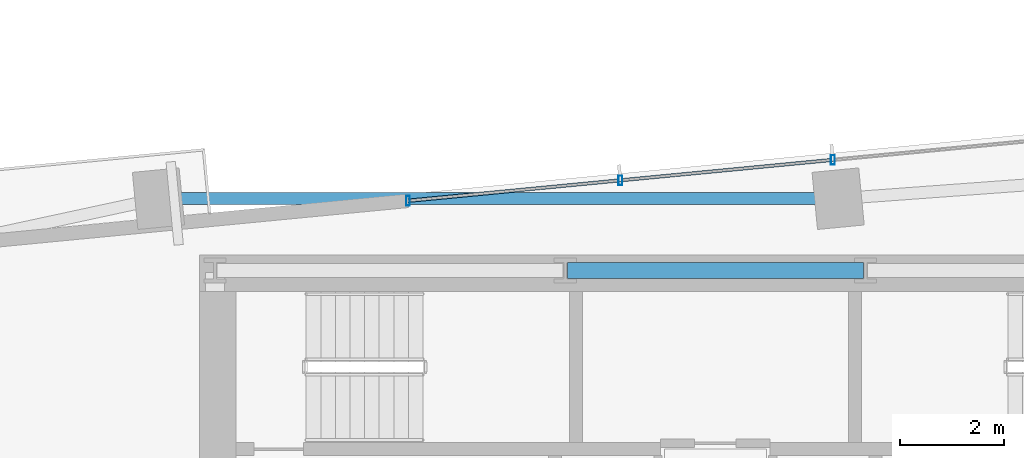
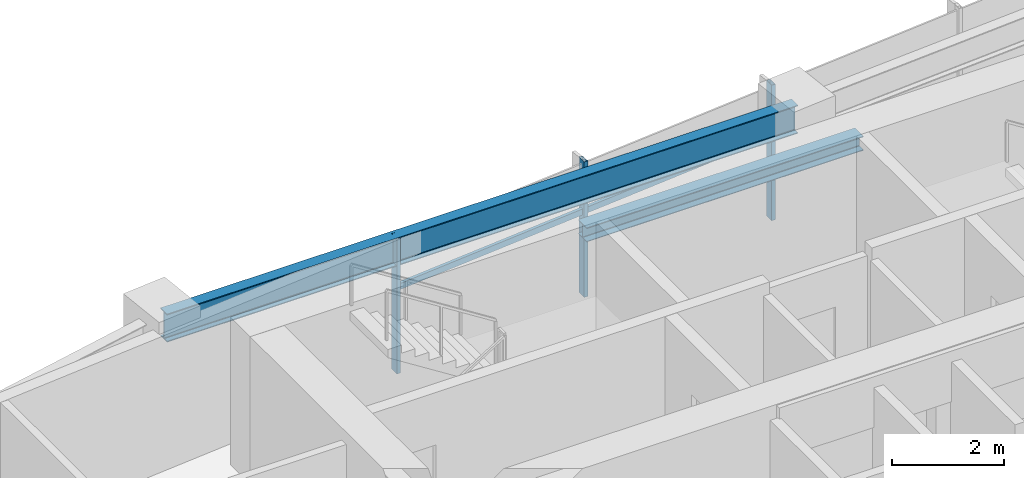
# One storey, part 10 of 25: 5 members, 2 beams, 1 element without a shape of its own.
"""IFC4 building model written with IfcOpenShell, lengths in metres."""

from ifc_helpers import new_model, si_unit, direction, frame, origin, origin_2d, place, context, subcontext, project, spatial, hollow_rectangle, i_section, extrude, source, transform, mapped, material, material_profile, profile_set, type_object, type_shapes, element, aggregate, save


model = new_model("IFC4")

# Units and contexts
model_context = context("Model", 3, precision=1e-05, world=origin(), true_north=direction((0.0, 1.0)))
body_context = subcontext(model_context, "Body", "Model", "MODEL_VIEW")
ifc_project = project(units=[si_unit("LENGTHUNIT", "METRE"), si_unit("AREAUNIT", "SQUARE_METRE"), si_unit("VOLUMEUNIT", "CUBIC_METRE"), si_unit("PLANEANGLEUNIT", "RADIAN"), si_unit("MASSUNIT", "GRAM", prefix="KILO")], contexts=[model_context])

# Site, building, storey
site_placement = place(None, origin())
site = spatial("IfcSite", under=ifc_project, at=site_placement, CompositionType="ELEMENT")
building_placement = place(site_placement, origin())
building = spatial("IfcBuilding", under=site, at=building_placement, Name="Astriad Promenade Condominiums", CompositionType="ELEMENT")
storey_placement = place(building_placement, frame((0.0, 0.0, 106.60009765625)))
storey = spatial("IfcBuildingStorey", under=building, at=storey_placement, Name="L30", CompositionType="ELEMENT", Elevation=106.60009765625)

# Beams
ifc_material_1 = material(Name="Steel ASTM A992 Grade 50", Category="steel")
ifc_material_profile_1 = material_profile(ifc_material_1, i_section(OverallWidth=0.3046875, OverallDepth=0.307861328125, WebThickness=0.010009765625, FlangeThickness=0.015380859375, FilletRadius=0.01513671875, at=origin_2d()), Name="W12X65")
ifc_profile_set_1 = profile_set([ifc_material_profile_1], Name="Steel ASTM A992 Grade 50")
beam_type_1 = type_object("IfcBeamType", Name="STEEL OPENING LINTEL W12X65", PredefinedType="LINTEL", material=ifc_profile_set_1)
shared_shape_1 = source(origin(), body_context, "Body", "SweptSolid", [
    extrude(i_section(OverallWidth=0.3046875, OverallDepth=0.307861328125, WebThickness=0.010009765625, FlangeThickness=0.015380859375, FilletRadius=0.01513671875, at=origin_2d()), origin(), (0.0, 0.0, 1.0), 5.68017578125),
])
type_shapes(beam_type_1, [shared_shape_1])
beam_1_placement = place(storey_placement, frame((33.159912109375, 24.0, 2.785888671875), z_axis=(1.0, 0.0, 0.0), x_axis=(0.0, 1.0, 0.0)))
element("IfcBeam", 1, at=beam_1_placement, inside=storey, type_object=beam_type_1, Name="Core Ring Beam CG-N2-L30", PredefinedType="LINTEL", context=body_context, shape_type="MappedRepresentation", body=[
    mapped(shared_shape_1, transform((0.0, 0.0, 0.0), scale=1.0)),
])
ifc_material_profile_2 = material_profile(ifc_material_1, i_section(OverallWidth=0.22900390625, OverallDepth=0.612060546875, WebThickness=0.011962890625, FlangeThickness=0.01953125, FilletRadius=0.017822265625, at=origin_2d()), Name="W24X84")
ifc_profile_set_2 = profile_set([ifc_material_profile_2], Name="Steel ASTM A992 Grade 50")
beam_type_2 = type_object("IfcBeamType", Name="STEEL SPANDREL BEAM W24X84", PredefinedType="SPANDREL", material=ifc_profile_set_2)
shared_shape_2 = source(origin(), body_context, "Body", "SweptSolid", [
    extrude(i_section(OverallWidth=0.22900390625, OverallDepth=0.612060546875, WebThickness=0.011962890625, FlangeThickness=0.01953125, FilletRadius=0.017822265625, at=origin_2d()), origin(), (0.0, 0.0, 1.0), 12.959716796875),
])
type_shapes(beam_type_2, [shared_shape_2])
beam_2_placement = place(storey_placement, frame((38.314697265625, 25.3798828125, 2.6337890625), z_axis=(-1.0, 0.0, 0.0), x_axis=(0.0, -1.0, 0.0)))
element("IfcBeam", 2, at=beam_2_placement, inside=storey, type_object=beam_type_2, Name="Perimeter Spandrel Beam SP-N2-L30", PredefinedType="SPANDREL", context=body_context, shape_type="MappedRepresentation", body=[
    mapped(shared_shape_2, transform((0.0, 0.0, 0.0), scale=1.0)),
])

# Curtain wall, members
ifc_material_2 = material(Name="Anodised aluminium Black Dark Glass Unitised", Category="aluminium")
curtain_wall_type = type_object("IfcCurtainWallType", Name="CW-B2-DARK", PredefinedType="USERDEFINED", material=ifc_material_2)
curtain_wall_placement = place(storey_placement, origin())
curtain_wall = element("IfcCurtainWall", 3, at=curtain_wall_placement, inside=storey, type_object=curtain_wall_type, Name="CW-L30-N", ObjectType="UNITISED_CURTAIN_WALL", PredefinedType="USERDEFINED")
ifc_material_3 = material(Name="Anodised aluminium 6063-T6 Black", Category="aluminium")
ifc_material_profile_3 = material_profile(ifc_material_3, hollow_rectangle(XDim=0.074951171875, YDim=0.18505859375, WallThickness=0.00439453125, at=origin_2d()), Name="ALU-MUL-75X185")
ifc_profile_set_3 = profile_set([ifc_material_profile_3], Name="Anodised aluminium 6063-T6 Black")
member_type_1 = type_object("IfcMemberType", Name="MUL-ALU-MUL-75X185", PredefinedType="MULLION", material=ifc_profile_set_3)
shared_shape_3 = source(origin(), body_context, "Body", "SweptSolid", [
    extrude(hollow_rectangle(XDim=0.074951171875, YDim=0.18505859375, WallThickness=0.00439453125, at=origin_2d()), origin(), (0.0, 0.0, 1.0), 2.93994140625),
])
type_shapes(member_type_1, [shared_shape_3])
member_1_placement = place(storey_placement, frame((30.101806640625, 25.339599609375, 0.0), z_axis=(0.0, 0.0, 1.0), x_axis=(1.0, 0.0, 0.0)))
member_1 = element("IfcMember", 4, at=member_1_placement, type_object=member_type_1, Name="CW-L30-N-MUL-00", PredefinedType="MULLION", context=body_context, shape_type="MappedRepresentation", body=[
    mapped(shared_shape_3, transform((0.0, 0.0, 0.0), scale=1.0)),
])
member_2_placement = place(storey_placement, frame((34.177734375, 25.732177734375, 0.0), z_axis=(0.0, 0.0, 1.0), x_axis=(1.0, 0.0, 0.0)))
member_2 = element("IfcMember", 5, at=member_2_placement, type_object=member_type_1, Name="CW-L30-N-MUL-01", PredefinedType="MULLION", context=body_context, shape_type="MappedRepresentation", body=[
    mapped(shared_shape_3, transform((0.0, 0.0, 0.0), scale=1.0)),
])
member_3_placement = place(storey_placement, frame((38.25390625, 26.12451171875, 0.0), z_axis=(0.0, 0.0, 1.0), x_axis=(1.0, 0.0, 0.0)))
member_3 = element("IfcMember", 6, at=member_3_placement, type_object=member_type_1, Name="CW-L30-N-MUL-02", PredefinedType="MULLION", context=body_context, shape_type="MappedRepresentation", body=[
    mapped(shared_shape_3, transform((0.0, 0.0, 0.0), scale=1.0)),
])
ifc_material_profile_4 = material_profile(ifc_material_3, hollow_rectangle(XDim=0.06494140625, YDim=0.1298828125, WallThickness=0.00390625, at=origin_2d()), Name="ALU-TRN-65X130")
ifc_profile_set_4 = profile_set([ifc_material_profile_4], Name="Anodised aluminium 6063-T6 Black")
member_type_2 = type_object("IfcMemberType", Name="TRN-ALU-TRN-65X130", PredefinedType="USERDEFINED", material=ifc_profile_set_4)
shared_shape_4 = source(origin(), body_context, "Body", "SweptSolid", [
    extrude(hollow_rectangle(XDim=0.06494140625, YDim=0.1298828125, WallThickness=0.00390625, at=origin_2d()), origin(), (0.0, 0.0, 1.0), 4.0947265625),
])
member_4_placement = place(storey_placement, frame((30.101806640625, 25.339599609375, 1.82275390625), z_axis=(0.995393613612, 0.095872592434, 0.0), x_axis=(-0.095872592434, 0.995393613612, 0.0)))
member_4 = element("IfcMember", 7, at=member_4_placement, type_object=member_type_2, Name="CW-L30-N-TRN-00-0", ObjectType="TRANSOM", PredefinedType="USERDEFINED", context=body_context, shape_type="MappedRepresentation", body=[
    mapped(shared_shape_4, transform((0.0, 0.0, 0.0), scale=1.0)),
])
shared_shape_5 = source(origin(), body_context, "Body", "SweptSolid", [
    extrude(hollow_rectangle(XDim=0.06494140625, YDim=0.1298828125, WallThickness=0.00390625, at=origin_2d()), origin(), (0.0, 0.0, 1.0), 4.094970703125),
])
type_shapes(member_type_2, [shared_shape_4, shared_shape_5])
member_5_placement = place(storey_placement, frame((34.177734375, 25.732177734375, 1.82275390625), z_axis=(0.995399849002, 0.095807831657, 0.0), x_axis=(-0.095807831657, 0.995399849002, 0.0)))
member_5 = element("IfcMember", 8, at=member_5_placement, type_object=member_type_2, Name="CW-L30-N-TRN-01-0", ObjectType="TRANSOM", PredefinedType="USERDEFINED", context=body_context, shape_type="MappedRepresentation", body=[
    mapped(shared_shape_5, transform((0.0, 0.0, 0.0), scale=1.0)),
])
aggregate(curtain_wall, [member_1, member_2, member_3, member_4, member_5])

save(model, "model.ifc")
